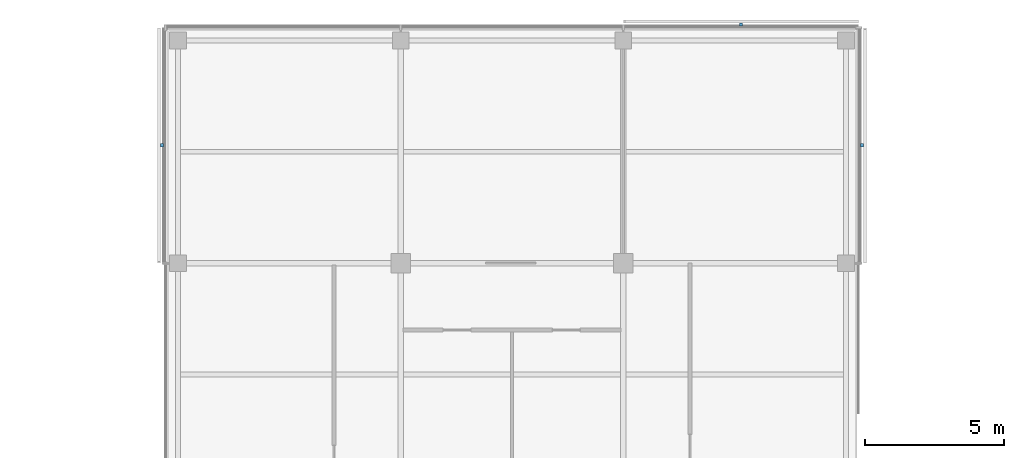
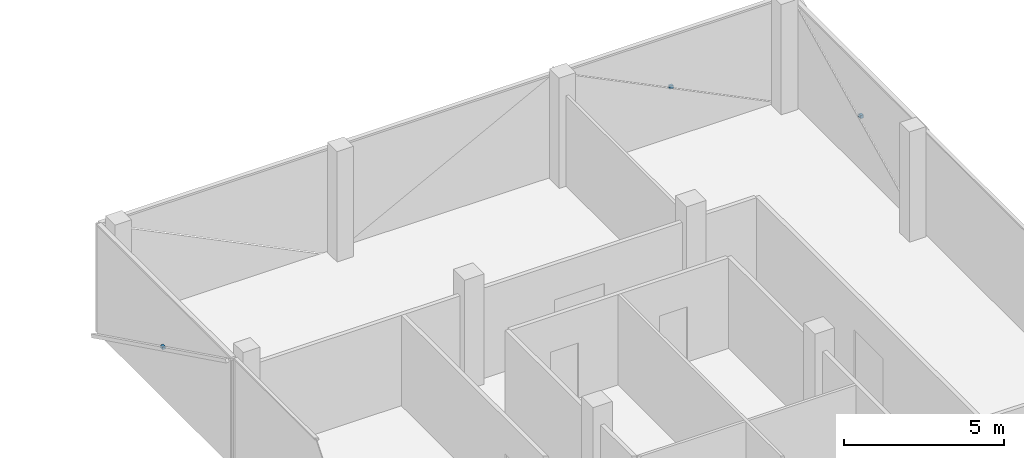
# One storey, part 14 of 15: 3 discrete accessories.
"""IFC4 building model written with IfcOpenShell, lengths in metres."""

from ifc_helpers import new_model, si_unit, direction, frame, origin, origin_2d, place, context, subcontext, project, spatial, rectangle, extrude, material, type_object, element, save


model = new_model("IFC4")

# Units and contexts
model_context = context("Model", 3, precision=1e-05, world=origin(), true_north=direction((0.0, 1.0)))
body_context = subcontext(model_context, "Body", "Model", "MODEL_VIEW")
ifc_project = project(units=[si_unit("LENGTHUNIT", "METRE"), si_unit("AREAUNIT", "SQUARE_METRE"), si_unit("VOLUMEUNIT", "CUBIC_METRE"), si_unit("PLANEANGLEUNIT", "RADIAN"), si_unit("MASSUNIT", "GRAM", prefix="KILO")], contexts=[model_context])

# Site, building, storey
site_placement = place(None, origin())
site = spatial("IfcSite", under=ifc_project, at=site_placement, CompositionType="ELEMENT")
building_placement = place(site_placement, origin())
building = spatial("IfcBuilding", under=site, at=building_placement, Name="Crosswind Convention Tower", CompositionType="ELEMENT")
storey_placement = place(building_placement, frame((0.0, 0.0, 261.89990234375)))
storey = spatial("IfcBuildingStorey", under=building, at=storey_placement, Name="L56", CompositionType="ELEMENT", Elevation=261.89990234375)

# Discrete accessories
ifc_material = material(Name="Stainless steel", Category="steel")
discrete_accessory_type = type_object("IfcDiscreteAccessoryType", Name="BAGUETTE BRACKET BK3", PredefinedType="BRACKET", material=ifc_material)
for number, where, z_axis, x_axis, name in (
    (1, (137.575927734375, 124.22998046875, 1.705078125), (0.0, 0.0, 1.0), (0.0, 1.0, 0.0), "BK3 baguette bracket"),
    (2, (133.22998046875, 128.575927734375, 1.705078125), (0.0, 0.0, 1.0), (-1.0, 0.0, 0.0), "BK3 baguette bracket"),
    (3, (112.424072265625, 124.22998046875, 1.705078125), (0.0, 0.0, 1.0), (0.0, -1.0, 0.0), "BK3 baguette bracket"),
):
    element("IfcDiscreteAccessory", number, at=place(storey_placement, frame(where, z_axis=z_axis, x_axis=x_axis)), inside=storey, type_object=discrete_accessory_type, Name=name, PredefinedType="BRACKET", context=body_context, shape_type="SweptSolid", body=[
        extrude(rectangle(XDim=0.1201171875, YDim=0.10009765625, at=origin_2d()), origin(), (0.0, 0.0, 1.0), 0.1201171875),
    ])

save(model, "model.ifc")
